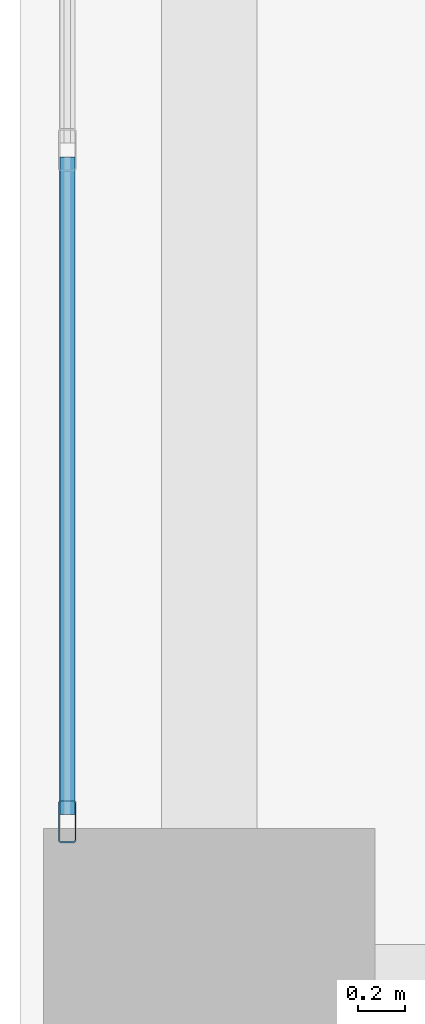
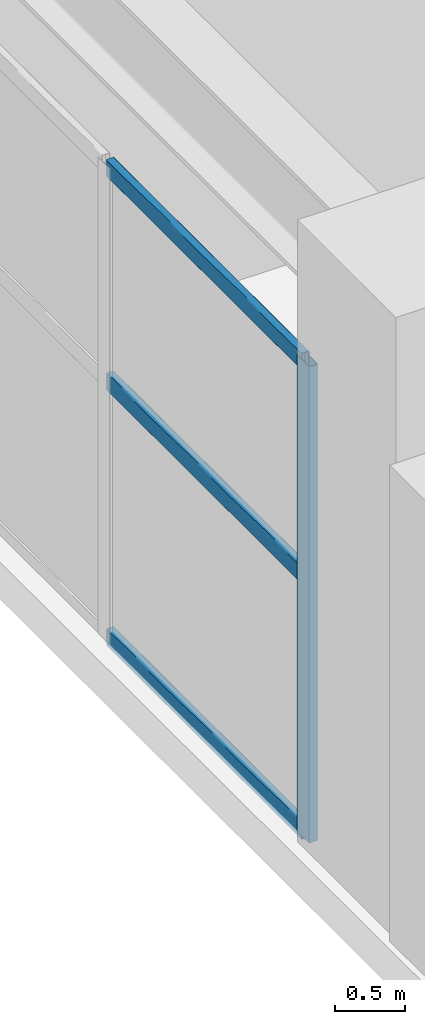
# One storey, part 5 of 28: 4 members, 1 element without a shape of its own.
"""IFC4 building model written with IfcOpenShell, lengths in metres."""

from ifc_helpers import new_model, si_unit, direction, frame, origin, origin_2d, place, context, subcontext, project, spatial, hollow_rectangle, extrude, material, layer, layer_set, material_profile, profile_set, type_object, element, aggregate, save


model = new_model("IFC4")

# Units and contexts
model_context = context("Model", 3, precision=1e-05, world=origin(), true_north=direction((0.0, 1.0)))
body_context = subcontext(model_context, "Body", "Model", "MODEL_VIEW")
ifc_project = project(units=[si_unit("LENGTHUNIT", "METRE"), si_unit("AREAUNIT", "SQUARE_METRE"), si_unit("VOLUMEUNIT", "CUBIC_METRE"), si_unit("PLANEANGLEUNIT", "RADIAN"), si_unit("MASSUNIT", "GRAM", prefix="KILO")], contexts=[model_context])

# Site, building, storey
site_placement = place(None, origin())
site = spatial("IfcSite", under=ifc_project, at=site_placement, CompositionType="ELEMENT")
building_placement = place(site_placement, origin())
building = spatial("IfcBuilding", under=site, at=building_placement, Name="Soratama Intermodal Tower", CompositionType="ELEMENT")
storey_placement = place(building_placement, frame((0.0, 0.0, 6.0)))
storey = spatial("IfcBuildingStorey", under=building, at=storey_placement, Name="L01", CompositionType="ELEMENT", Elevation=6.0)

# Curtain wall, members
ifc_material_1 = material(Name="Double-glazed aluminium curtain wall", Category="aluminium")
ifc_layer = layer(ifc_material_1, 0.159912109375)
ifc_layer_set = layer_set([ifc_layer], Name="Double-glazed aluminium curtain wall")
curtain_wall_type = type_object("IfcCurtainWallType", Name="CW-SYS-1", PredefinedType="NOTDEFINED", material=ifc_layer_set)
curtain_wall_placement = place(storey_placement, origin())
curtain_wall = element("IfcCurtainWall", 1, at=curtain_wall_placement, inside=storey, type_object=curtain_wall_type, Name="L01 Station Curtain Wall W1", PredefinedType="NOTDEFINED")
ifc_material_2 = material(Name="Anodised aluminium AA 6063-T6", Category="aluminium")
ifc_material_profile_1 = material_profile(ifc_material_2, hollow_rectangle(XDim=0.074951171875, YDim=0.179931640625, WallThickness=0.006103515625, InnerFilletRadius=0.006103515625, OuterFilletRadius=0.011962890625, at=origin_2d()), Name="CWM180X75X6")
ifc_profile_set_1 = profile_set([ifc_material_profile_1], Name="Anodised aluminium AA 6063-T6")
member_type_1 = type_object("IfcMemberType", Name="MT-CWM-1", PredefinedType="MULLION", material=ifc_profile_set_1)
member_1_placement = place(storey_placement, frame((0.199951171875, 15.72998046875, 0.0), z_axis=(0.0, 0.0, 1.0), x_axis=(-1.0, 0.0, 0.0)))
member_1 = element("IfcMember", 2, at=member_1_placement, type_object=member_type_1, Name="CW-1 mullion 1", PredefinedType="MULLION", context=body_context, shape_type="SweptSolid", body=[
    extrude(hollow_rectangle(XDim=0.074951171875, YDim=0.179931640625, WallThickness=0.006103515625, InnerFilletRadius=0.006103515625, OuterFilletRadius=0.011962890625, at=origin_2d()), origin(), (0.0, 0.0, 1.0), 4.135986328125),
])
ifc_material_3 = material(Name="Anodised aluminium AA 6063-T6", Category="aluminium")
ifc_material_profile_2 = material_profile(ifc_material_3, hollow_rectangle(XDim=0.06494140625, YDim=0.14990234375, WallThickness=0.0048828125, InnerFilletRadius=0.0048828125, OuterFilletRadius=0.010009765625, at=origin_2d()), Name="CWT150X65X5")
ifc_profile_set_2 = profile_set([ifc_material_profile_2], Name="Anodised aluminium AA 6063-T6")
member_type_2 = type_object("IfcMemberType", Name="TT-CWT-1", PredefinedType="USERDEFINED", material=ifc_profile_set_2)
member_2_placement = place(storey_placement, frame((0.199951171875, 15.760009765625, 0.030029296875), z_axis=(0.0, 1.0, 0.0), x_axis=(-1.0, 0.0, 0.0)))
member_2 = element("IfcMember", 3, at=member_2_placement, type_object=member_type_2, Name="CW-1 transom 1.1", ObjectType="TRANSOM", PredefinedType="USERDEFINED", context=body_context, shape_type="SweptSolid", body=[
    extrude(hollow_rectangle(XDim=0.06494140625, YDim=0.14990234375, WallThickness=0.0048828125, InnerFilletRadius=0.0048828125, OuterFilletRadius=0.010009765625, at=origin_2d()), origin(), (0.0, 0.0, 1.0), 2.776611328125),
])
member_3_placement = place(storey_placement, frame((0.199951171875, 15.760009765625, 2.25), z_axis=(0.0, 1.0, 0.0), x_axis=(-1.0, 0.0, 0.0)))
member_3 = element("IfcMember", 4, at=member_3_placement, type_object=member_type_2, Name="CW-1 transom 1.2", ObjectType="TRANSOM", PredefinedType="USERDEFINED", context=body_context, shape_type="SweptSolid", body=[
    extrude(hollow_rectangle(XDim=0.06494140625, YDim=0.14990234375, WallThickness=0.0048828125, InnerFilletRadius=0.0048828125, OuterFilletRadius=0.010009765625, at=origin_2d()), origin(), (0.0, 0.0, 1.0), 2.776611328125),
])
member_4_placement = place(storey_placement, frame((0.199951171875, 15.760009765625, 4.10595703125), z_axis=(0.0, 1.0, 0.0), x_axis=(-1.0, 0.0, 0.0)))
member_4 = element("IfcMember", 5, at=member_4_placement, type_object=member_type_2, Name="CW-1 transom 1.3", ObjectType="TRANSOM", PredefinedType="USERDEFINED", context=body_context, shape_type="SweptSolid", body=[
    extrude(hollow_rectangle(XDim=0.06494140625, YDim=0.14990234375, WallThickness=0.0048828125, InnerFilletRadius=0.0048828125, OuterFilletRadius=0.010009765625, at=origin_2d()), origin(), (0.0, 0.0, 1.0), 2.776611328125),
])
aggregate(curtain_wall, [member_1, member_2, member_3, member_4])

save(model, "model.ifc")
